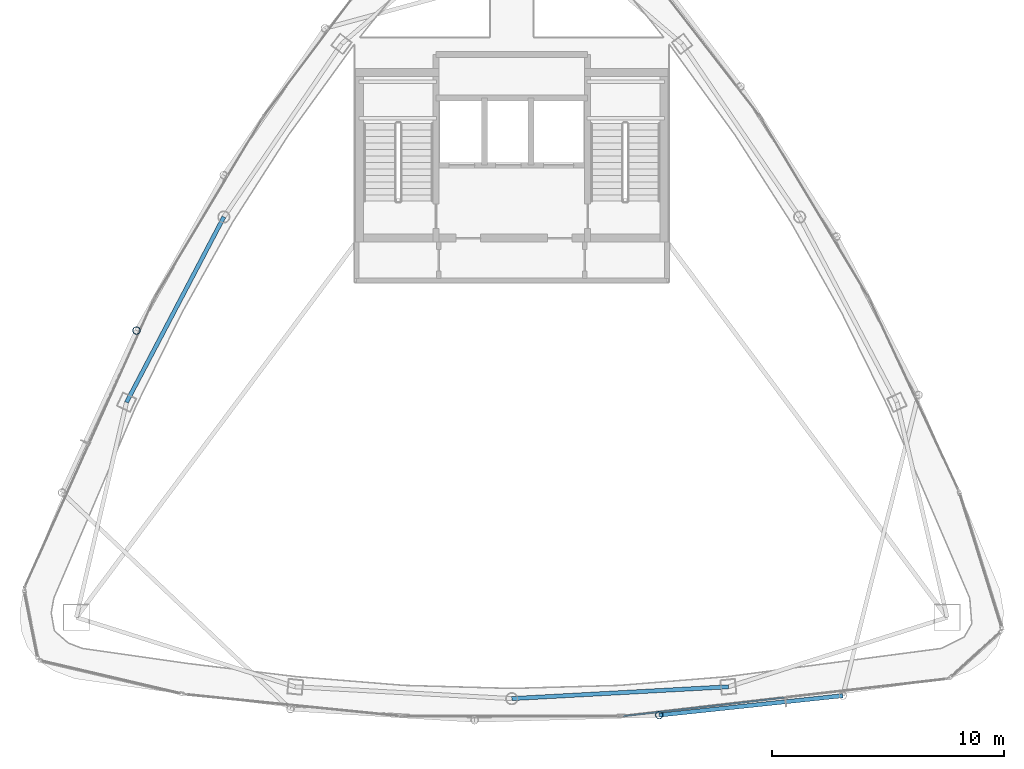
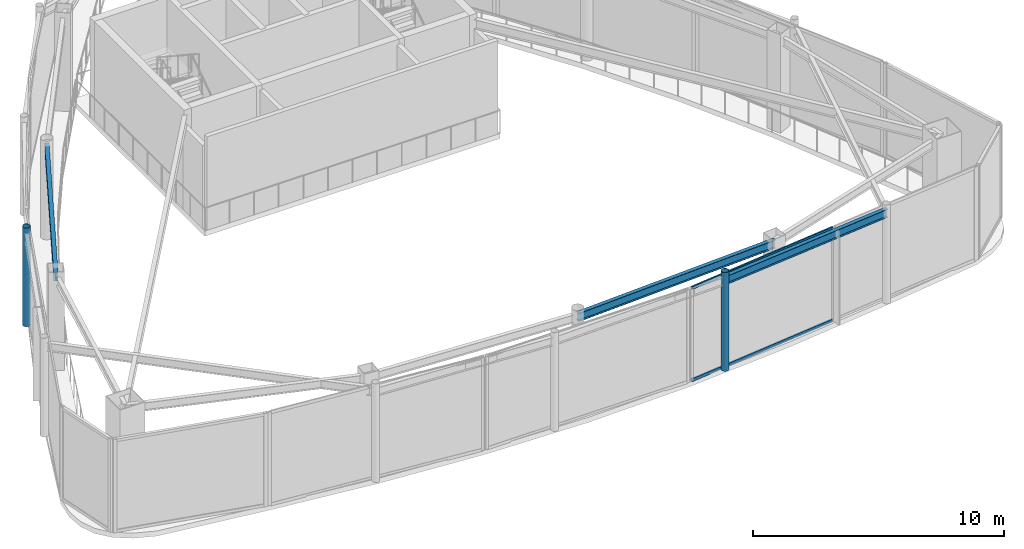
# One storey, part 7 of 19: 4 members, 3 beams, 1 element without a shape of its own.
"""IFC4 building model written with IfcOpenShell, lengths in metres."""

from ifc_helpers import new_model, si_unit, direction, frame, origin, origin_2d, place, context, subcontext, project, spatial, hollow_rectangle, hollow_circle, i_section, extrude, material, layer, layer_set, material_profile, profile_set, type_object, element, aggregate, save


model = new_model("IFC4")

# Units and contexts
model_context = context("Model", 3, precision=1e-05, world=origin(), true_north=direction((0.0, 1.0)))
body_context = subcontext(model_context, "Body", "Model", "MODEL_VIEW")
ifc_project = project(units=[si_unit("LENGTHUNIT", "METRE"), si_unit("AREAUNIT", "SQUARE_METRE"), si_unit("VOLUMEUNIT", "CUBIC_METRE"), si_unit("PLANEANGLEUNIT", "RADIAN"), si_unit("MASSUNIT", "GRAM", prefix="KILO")], contexts=[model_context])

# Site, building, storey
site_placement = place(None, origin())
site = spatial("IfcSite", under=ifc_project, at=site_placement, CompositionType="ELEMENT")
building_placement = place(site_placement, origin())
building = spatial("IfcBuilding", under=site, at=building_placement, Name="Orvanel Arch Residences", CompositionType="ELEMENT")
storey_placement = place(building_placement, frame((0.0, 0.0, 286.10009765625)))
storey = spatial("IfcBuildingStorey", under=building, at=storey_placement, Name="L81", CompositionType="ELEMENT", Elevation=286.10009765625)

# Beams
ifc_material_1 = material(Name="Structural steel AS/NZS 3679.1 Grade 300 (300 MPa)", Category="steel")
ifc_material_profile_1 = material_profile(ifc_material_1, i_section(OverallWidth=0.177978515625, OverallDepth=0.406005859375, WebThickness=0.0078125, FlangeThickness=0.0126953125, at=origin_2d()), Name="410UB59.7")
ifc_profile_set_1 = profile_set([ifc_material_profile_1], Name="Structural steel AS/NZS 3679.1 Grade 300 (300 MPa)")
beam_type_1 = type_object("IfcBeamType", Name="OB-410UB", PredefinedType="SPANDREL", material=ifc_profile_set_1)
beam_1_placement = place(storey_placement, frame((33.0, 6.843994140625, 4.346923828125), z_axis=(0.998510315598, 0.054563262768, 0.0), x_axis=(-0.054563262768, 0.998510315598, 0.0)))
element("IfcBeam", 1, at=beam_1_placement, inside=storey, type_object=beam_type_1, Name="L81 Perimeter Spandrel Beam 04", PredefinedType="SPANDREL", context=body_context, shape_type="SweptSolid", body=[
    extrude(i_section(OverallWidth=0.177978515625, OverallDepth=0.406005859375, WebThickness=0.0078125, FlangeThickness=0.0126953125, at=origin_2d()), origin(), (0.0, 0.0, 1.0), 9.364990234375),
])
beam_2_placement = place(storey_placement, frame((20.569091796875, 27.64111328125, 4.346923828125), z_axis=(-0.465064762793, -0.885276660942, 0.0), x_axis=(0.885276660942, -0.465064762793, 0.0)))
element("IfcBeam", 2, at=beam_2_placement, inside=storey, type_object=beam_type_1, Name="L81 Perimeter Spandrel Beam 12", PredefinedType="SPANDREL", context=body_context, shape_type="SweptSolid", body=[
    extrude(i_section(OverallWidth=0.177978515625, OverallDepth=0.406005859375, WebThickness=0.0078125, FlangeThickness=0.0126953125, at=origin_2d()), origin(), (0.0, 0.0, 1.0), 9.03564453125),
])
ifc_material_profile_2 = material_profile(ifc_material_1, i_section(OverallWidth=0.177978515625, OverallDepth=0.406005859375, WebThickness=0.0078125, FlangeThickness=0.0126953125, at=origin_2d()), Name="410UB59.7")
ifc_profile_set_2 = profile_set([ifc_material_profile_2], Name="Structural steel AS/NZS 3679.1 Grade 300 (300 MPa)")
beam_type_2 = type_object("IfcBeamType", Name="OB-410UB-EXT", PredefinedType="SPANDREL", material=ifc_profile_set_2)
beam_3_placement = place(storey_placement, frame((39.366943359375, 6.131103515625, 4.346923828125), z_axis=(0.994445876363, 0.1052492232, 0.0), x_axis=(-0.1052492232, 0.994445876363, 0.0)))
element("IfcBeam", 3, at=beam_3_placement, inside=storey, type_object=beam_type_2, Name="L81 Outer Perimeter Floor Ring Beam 07", PredefinedType="SPANDREL", context=body_context, shape_type="SweptSolid", body=[
    extrude(i_section(OverallWidth=0.177978515625, OverallDepth=0.406005859375, WebThickness=0.0078125, FlangeThickness=0.0126953125, at=origin_2d()), origin(), (0.0, 0.0, 1.0), 7.97021484375),
])

# Members
ifc_material_2 = material(Name="Structural steel AS/NZS 1163 C350L0 (Grade 350)", Category="steel")
ifc_material_profile_3 = material_profile(ifc_material_2, hollow_circle(Radius=0.162109375, WallThickness=0.0126953125, at=origin_2d()), Name="CHS324x12.7")
ifc_profile_set_3 = profile_set([ifc_material_profile_3], Name="Structural steel AS/NZS 1163 C350L0 (Grade 350)")
member_type_1 = type_object("IfcMemberType", Name="ST-324CHS-EXT", PredefinedType="STRUT", material=ifc_profile_set_3)
for number, where, z_axis, x_axis, name in (
    (4, (16.794921875, 22.73388671875, 0.0), (0.0, 0.0, 1.0), (1.0, 0.0, 0.0), "L81 Outer Perimeter Frame Post 03"),
    (5, (39.366943359375, 6.131103515625, 0.0), (0.0, 0.0, 1.0), (1.0, 0.0, 0.0), "L81 Outer Perimeter Frame Post 07"),
):
    element("IfcMember", number, at=place(storey_placement, frame(where, z_axis=z_axis, x_axis=x_axis)), inside=storey, type_object=member_type_1, Name=name, PredefinedType="STRUT", context=body_context, shape_type="SweptSolid", body=[
        extrude(hollow_circle(Radius=0.162109375, WallThickness=0.0126953125, at=origin_2d()), origin(), (0.0, 0.0, 1.0), 4.7998046875),
    ])

# Curtain wall, members
ifc_material_3 = material(Name="Bronze-anodised aluminium AA6063-T6", Category="aluminium")
ifc_layer = layer(ifc_material_3, 0.2099609375)
ifc_layer_set = layer_set([ifc_layer], Name="Bronze-anodised aluminium AA6063-T6")
curtain_wall_type = type_object("IfcCurtainWallType", Name="CW7-TOP-SYS", PredefinedType="NOTDEFINED", material=ifc_layer_set)
curtain_wall_placement = place(storey_placement, origin())
curtain_wall = element("IfcCurtainWall", 6, at=curtain_wall_placement, inside=storey, type_object=curtain_wall_type, Name="L81 CW7-TOP-SYS Unitised Curtain Wall", PredefinedType="NOTDEFINED")
ifc_material_profile_4 = material_profile(ifc_material_3, hollow_rectangle(XDim=0.06494140625, YDim=0.14990234375, WallThickness=0.00390625, at=origin_2d()), Name="ALU150x65x4")
ifc_profile_set_4 = profile_set([ifc_material_profile_4], Name="Bronze-anodised aluminium AA6063-T6")
member_type_2 = type_object("IfcMemberType", Name="TRN-150x65", PredefinedType="USERDEFINED", material=ifc_profile_set_4)
member_1_placement = place(storey_placement, frame((37.8154296875, 6.088623046875, 0.032470703125), z_axis=(0.993453799179, 0.114234622144, 0.0), x_axis=(-0.114234622144, 0.993453799179, 0.0)))
member_1 = element("IfcMember", 7, at=member_1_placement, type_object=member_type_2, Name="CW-S7 transom 1.1", ObjectType="TRANSOM", PredefinedType="USERDEFINED", context=body_context, shape_type="SweptSolid", body=[
    extrude(hollow_rectangle(XDim=0.06494140625, YDim=0.14990234375, WallThickness=0.00390625, at=origin_2d()), origin(), (0.0, 0.0, 1.0), 6.9951171875),
])
member_2_placement = place(storey_placement, frame((37.8154296875, 6.088623046875, 4.517333984375), z_axis=(0.993453799179, 0.114234622144, 0.0), x_axis=(-0.114234622144, 0.993453799179, 0.0)))
member_2 = element("IfcMember", 8, at=member_2_placement, type_object=member_type_2, Name="CW-S7 transom 1.2", ObjectType="TRANSOM", PredefinedType="USERDEFINED", context=body_context, shape_type="SweptSolid", body=[
    extrude(hollow_rectangle(XDim=0.06494140625, YDim=0.14990234375, WallThickness=0.00390625, at=origin_2d()), origin(), (0.0, 0.0, 1.0), 6.9951171875),
])
aggregate(curtain_wall, [member_1, member_2])

save(model, "model.ifc")
